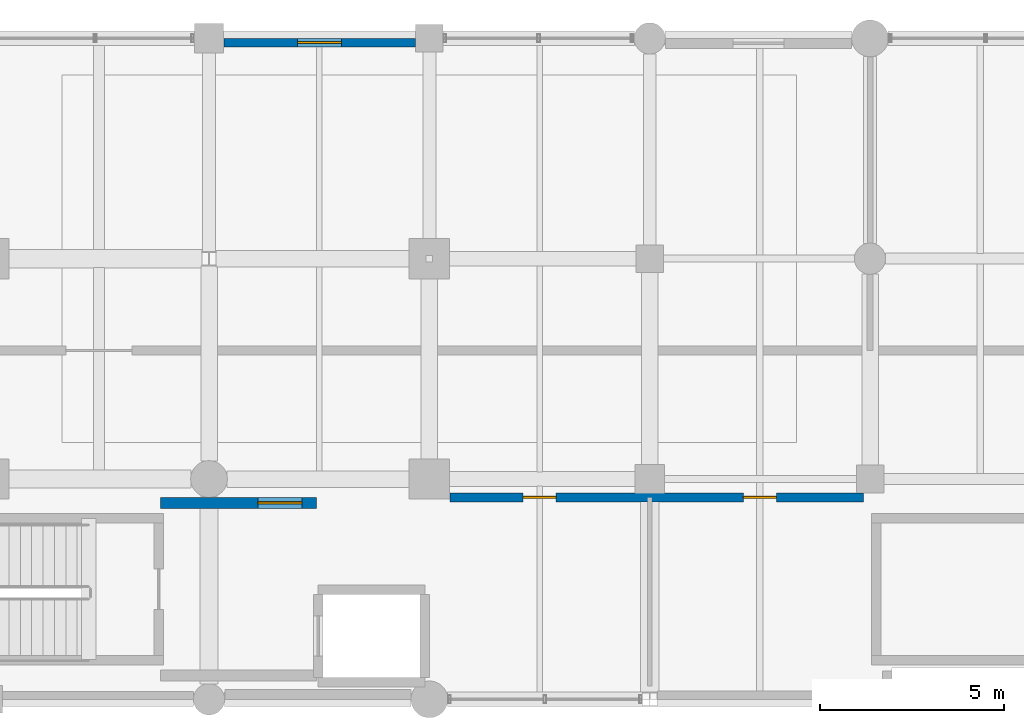
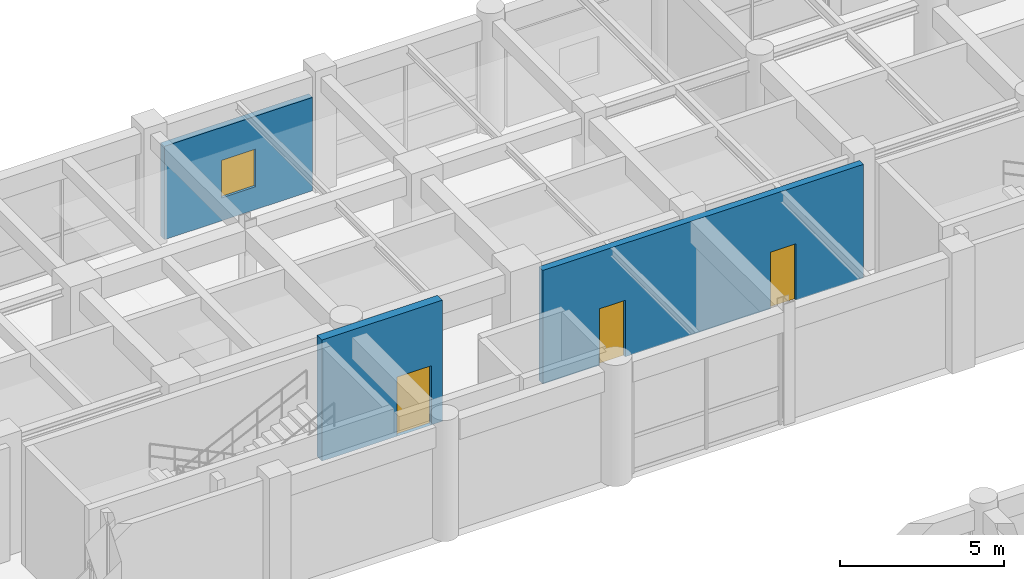
# One storey, part 104 of 133: 3 doors, 3 walls, 1 window, 4 openings.
"""IFC4 building model written with IfcOpenShell, lengths in metres."""

import ifcopenshell
import ifcopenshell.guid

model = None  # the IFC model being written
_history = None  # IfcOwnerHistory: only IFC2X3 demands one
_inside = {}  # id of a spatial element -> (the spatial element, [elements in it])
_under = {}  # id of a project, library or spatial element -> (it, [spatial elements below it])
_declared = {}  # id of a project -> (the project, [libraries it declares])
_typed = {}  # id of a type object -> (the type object, [elements of that type])
_made_of = {}  # id of a material, layer set ... -> (it, [elements and type objects made of it])


def new_model(schema):
    """Start an empty IFC model of exactly this schema.

    Asked for "IFC4X3", IfcOpenShell would pick the latest addendum, in which some entities
    have other attributes; the version numbers below select the first issue.
    IFC2X3 requires an IfcOwnerHistory on every rooted entity: one is made here for all.
    """
    global model, _history
    if schema == "IFC4X3":
        model = ifcopenshell.file(schema_version=(4, 3, 0, 0))
    else:
        model = ifcopenshell.file(schema=schema)
    _inside.clear()
    _under.clear()
    _declared.clear()
    _typed.clear()
    _made_of.clear()
    _history = None
    if model.schema == "IFC2X3":
        org = make("IfcOrganization", Name="unknown")
        user = make(
            "IfcPersonAndOrganization",
            ThePerson=make("IfcPerson", FamilyName="unknown"),
            TheOrganization=org,
        )
        app = make(
            "IfcApplication",
            ApplicationDeveloper=org,
            Version="unknown",
            ApplicationFullName="unknown",
            ApplicationIdentifier="unknown",
        )
        _history = make(
            "IfcOwnerHistory",
            OwningUser=user,
            OwningApplication=app,
            ChangeAction="ADDED",
            CreationDate=0,
        )
    return model


def make(cls, **values):
    """One entity of the class cls with the attributes given. An attribute that is None is left unset."""
    return model.create_entity(
        cls, **{name: value for name, value in values.items() if value is not None}
    )


def rooted(cls, **values):
    """An entity with a GlobalId (a new one), such as an element, a storey or a relation."""
    return make(cls, GlobalId=ifcopenshell.guid.new(), OwnerHistory=_history, **values)


def si_unit(unit_type, name, prefix=None):
    """IfcSIUnit, for example si_unit("LENGTHUNIT", "METRE", prefix="MILLI")."""
    return make("IfcSIUnit", UnitType=unit_type, Prefix=prefix, Name=name)


def assignment(units):
    """IfcUnitAssignment: the units of a project."""
    return None if units is None else make("IfcUnitAssignment", Units=units)


def point(xyz):
    """IfcCartesianPoint."""
    return None if xyz is None else make("IfcCartesianPoint", Coordinates=xyz)


def direction(xyz):
    """IfcDirection."""
    return None if xyz is None else make("IfcDirection", DirectionRatios=xyz)


def frame(location, z_axis=None, x_axis=None):
    """IfcAxis2Placement3D, a coordinate frame: its origin and axes. An axis left out is left unset."""
    return make(
        "IfcAxis2Placement3D",
        Location=point(location),
        Axis=direction(z_axis),
        RefDirection=direction(x_axis),
    )


def frame_2d(location, x_axis=None):
    """IfcAxis2Placement2D, a coordinate frame in the plane: its origin and x axis."""
    return make(
        "IfcAxis2Placement2D", Location=point(location), RefDirection=direction(x_axis)
    )


def origin():
    """The frame at (0, 0, 0) with its axes left unset."""
    return frame((0.0, 0.0, 0.0))


def place(relative_to, where):
    """IfcLocalPlacement: puts the frame where relative to a parent placement (None: the world)."""
    return make(
        "IfcLocalPlacement", PlacementRelTo=relative_to, RelativePlacement=where
    )


def context(
    kind, dimensions, precision=None, world=None, true_north=None, identifier=None
):
    """IfcGeometricRepresentationContext, for example the 3D "Model" context."""
    return make(
        "IfcGeometricRepresentationContext",
        ContextIdentifier=identifier,
        ContextType=kind,
        CoordinateSpaceDimension=dimensions,
        Precision=precision,
        WorldCoordinateSystem=world,
        TrueNorth=true_north,
    )


def subcontext(parent, identifier, kind, view, scale=None):
    """IfcGeometricRepresentationSubContext, for example "Body" below "Model"."""
    return make(
        "IfcGeometricRepresentationSubContext",
        ContextIdentifier=identifier,
        ContextType=kind,
        ParentContext=parent,
        TargetScale=scale,
        TargetView=view,
    )


def project(units=None, contexts=None):
    """IfcProject with its units and contexts."""
    return rooted(
        "IfcProject",
        Name="project",
        RepresentationContexts=contexts,
        UnitsInContext=assignment(units),
    )


def spatial(cls, under=None, at=None, **own):
    """A site, building, storey or space (cls), placed at a placement, below another one or the project."""
    s = rooted(cls, ObjectPlacement=at, **own)
    if under is not None:
        _under.setdefault(under.id(), (under, []))[1].append(s)
    return s


def profile(cls, at=None, kind="AREA", **sizes):
    """A parametric profile (cls). Its sizes go by their IFC names, for example OverallWidth=200.0."""
    return make(cls, ProfileType=kind, Position=at, **sizes)


def rectangle(**sizes):
    """IfcRectangleProfileDef."""
    return profile("IfcRectangleProfileDef", **sizes)


def extrude(swept, where, along, depth):
    """IfcExtrudedAreaSolid: the profile swept, set in the frame where, extruded along a direction by depth."""
    return make(
        "IfcExtrudedAreaSolid",
        SweptArea=swept,
        Position=where,
        ExtrudedDirection=direction(along),
        Depth=depth,
    )


def shape(context_of_items, identifier, shape_type, items):
    """IfcShapeRepresentation: the items that make up one representation, for example the "Body"."""
    return make(
        "IfcShapeRepresentation",
        ContextOfItems=context_of_items,
        RepresentationIdentifier=identifier,
        RepresentationType=shape_type,
        Items=items,
    )


def material(Name=None, Category=None):
    """IfcMaterial."""
    return make("IfcMaterial", Name=Name, Category=Category)


def layer(
    of_material, thickness, ventilated=None, Name=None, Category=None, Priority=None
):
    """IfcMaterialLayer: one layer of a wall or slab, of a material (None: an air gap)."""
    return make(
        "IfcMaterialLayer",
        Material=of_material,
        LayerThickness=thickness,
        IsVentilated=ventilated,
        Name=Name,
        Category=Category,
        Priority=Priority,
    )


def layer_set(layers, Name=None):
    """IfcMaterialLayerSet."""
    return make("IfcMaterialLayerSet", MaterialLayers=layers, LayerSetName=Name)


def made_of(thing, what):
    """Note that an element or type object is made of a material, layer set ...; save() writes the relation."""
    if what is not None:
        _made_of.setdefault(what.id(), (what, []))[1].append(thing)
    return thing


def type_object(cls, material=None, **own):
    """A type object (cls), such as IfcWallType, which elements share."""
    return made_of(rooted(cls, **own), material)


def element(
    cls,
    number,
    at=None,
    inside=None,
    cuts=None,
    type_object=None,
    material=None,
    context=None,
    identifier="Body",
    shape_type=None,
    held_by="IfcProductDefinitionShape",
    body=None,
    shapes=None,
    **own,
):
    """One element of the class cls, such as IfcWall. Its Tag is "e" and its number.

    at: its placement. inside: the storey or other place that contains it. cuts: it is an
    opening in that element (IfcRelVoidsElement). A single representation is given by context,
    identifier, shape_type and body (its items); several are given by shapes. held_by: the class
    of the entity that holds the representations. save() writes the other relations.
    """
    e = rooted(cls, Tag="e%d" % number, ObjectPlacement=at, **own)
    if body is not None:
        shapes = [shape(context, identifier, shape_type, body)]
    if shapes is not None:
        e.Representation = make(held_by, Representations=shapes)
    if inside is not None:
        _inside.setdefault(inside.id(), (inside, []))[1].append(e)
    if cuts is not None:
        rooted(
            "IfcRelVoidsElement", RelatingBuildingElement=cuts, RelatedOpeningElement=e
        )
    if type_object is not None:
        _typed.setdefault(type_object.id(), (type_object, []))[1].append(e)
    return made_of(e, material)


def fill(opening, filler):
    """IfcRelFillsElement: the door or window that sits in an opening."""
    return rooted(
        "IfcRelFillsElement",
        RelatingOpeningElement=opening,
        RelatedBuildingElement=filler,
    )


def aggregate(whole, parts):
    """IfcRelAggregates: a whole, such as a stair, and the parts it consists of."""
    return rooted("IfcRelAggregates", RelatingObject=whole, RelatedObjects=parts)


def save(model, path):
    """Write the relations noted so far, then the file.

    IfcRelAggregates (storeys below a building ...), IfcRelContainedInSpatialStructure (elements
    in a storey), IfcRelDefinesByType, IfcRelAssociatesMaterial and IfcRelDeclares: one each for
    every whole, place, type object, material and project.
    """
    for whole, parts in _under.values():
        aggregate(whole, parts)
    for where, things in _inside.values():
        rooted(
            "IfcRelContainedInSpatialStructure",
            RelatedElements=things,
            RelatingStructure=where,
        )
    for kind, things in _typed.values():
        rooted("IfcRelDefinesByType", RelatedObjects=things, RelatingType=kind)
    for what, things in _made_of.values():
        rooted("IfcRelAssociatesMaterial", RelatedObjects=things, RelatingMaterial=what)
    for by, libraries in _declared.values():
        rooted("IfcRelDeclares", RelatingContext=by, RelatedDefinitions=libraries)
    model.write(path)


model = new_model("IFC4")

# Units and contexts
model_context = context("Model", 3, precision=1e-05, world=origin(), true_north=direction((0.0, 1.0)))
body_context = subcontext(model_context, "Body", "Model", "MODEL_VIEW")
ifc_project = project(units=[si_unit("LENGTHUNIT", "METRE"), si_unit("AREAUNIT", "SQUARE_METRE"), si_unit("VOLUMEUNIT", "CUBIC_METRE"), si_unit("PLANEANGLEUNIT", "RADIAN"), si_unit("MASSUNIT", "GRAM", prefix="KILO"), si_unit("THERMODYNAMICTEMPERATUREUNIT", "KELVIN"), si_unit("POWERUNIT", "WATT")], contexts=[model_context])

# Site, building, storey
site_placement = place(None, origin())
site = spatial("IfcSite", under=ifc_project, at=site_placement, CompositionType="ELEMENT")
building_placement = place(site_placement, origin())
building = spatial("IfcBuilding", under=site, at=building_placement, Name="Phaisarnlok Congress Hotel", CompositionType="ELEMENT")
storey_placement = place(building_placement, frame((0.0, 0.0, 6.0)))
storey = spatial("IfcBuildingStorey", under=building, at=storey_placement, Name="L01", CompositionType="ELEMENT", Elevation=6.0)

# Wall, opening, window
ifc_material_1 = material(Name="Concrete C40/50", Category="concrete")
ifc_layer_1 = layer(ifc_material_1, 0.22998046875, Name="Concrete C40/50")
ifc_layer_set_1 = layer_set([ifc_layer_1], Name="Concrete C40/50")
wall_type_1 = type_object("IfcWallType", Name="WL-EXT-230", PredefinedType="SOLIDWALL", material=ifc_layer_set_1)
wall_1_placement = place(storey_placement, frame((119.6201171875, 125.885009765625, 0.0), z_axis=(0.0, 0.0, 1.0), x_axis=(-1.0, 0.0, 0.0)))
wall_1 = element("IfcWall", 1, at=wall_1_placement, inside=storey, type_object=wall_type_1, Name="Exterior wall EW-06 (L01)", PredefinedType="SOLIDWALL", context=body_context, shape_type="SweptSolid", body=[
    extrude(rectangle(XDim=5.215087890625, YDim=0.22998046875, at=frame_2d((2.607421875, 0.0))), origin(), (0.0, 0.0, 1.0), 3.469970703125),
])
opening_1_placement = place(wall_1_placement, frame((2.008056640625, 0.0, 0.85009765625)))
opening_1 = element("IfcOpeningElement", 2, at=opening_1_placement, cuts=wall_1, Name="Opening W-14", PredefinedType="OPENING", context=body_context, shape_type="SweptSolid", body=[
    extrude(rectangle(XDim=1.199951171875, YDim=1.39990234375, at=frame_2d((0.60009765625, 0.699951171875))), frame((0.0, 0.125, 0.0), z_axis=(0.0, -1.0, 0.0), x_axis=(1.0, 0.0, 0.0)), (0.0, 0.0, 1.0), 0.25),
])
ifc_material_2 = material(Name="Thermally Broken Aluminium & Low-E Double Glazing", Category="aluminium")
window_type = type_object("IfcWindowType", Name="WIN-POD-1200", PartitioningType="SINGLE_PANEL", PredefinedType="WINDOW", material=ifc_material_2)
window_placement = place(opening_1_placement, origin())
window = element("IfcWindow", 3, at=window_placement, inside=storey, type_object=window_type, Name="Podium window W-14 (L01)", OverallHeight=1.39990234375, OverallWidth=1.199951171875, PartitioningType="SINGLE_PANEL", PredefinedType="WINDOW", context=body_context, shape_type="SweptSolid", body=[
    extrude(rectangle(XDim=1.199951171875, YDim=1.39990234375, at=frame_2d((0.60009765625, 0.699951171875))), frame((0.0, 0.030029296875, 0.0), z_axis=(0.0, -1.0, 0.0), x_axis=(1.0, 0.0, 0.0)), (0.0, 0.0, 1.0), 0.06005859375),
])
fill(opening_1, window)

# Wall, openings, doors
ifc_layer_2 = layer(ifc_material_1, 0.239990234375, Name="Concrete C40/50")
ifc_layer_set_2 = layer_set([ifc_layer_2], Name="Concrete C40/50")
wall_type_2 = type_object("IfcWallType", Name="WL-INT-240", PredefinedType="PARTITIONING", material=ifc_layer_set_2)
wall_2_placement = place(storey_placement, frame((120.554931640625, 113.5, 0.0), z_axis=(0.0, 0.0, 1.0), x_axis=(1.0, 0.0, 0.0)))
wall_2 = element("IfcWall", 4, at=wall_2_placement, inside=storey, type_object=wall_type_2, Name="Interior partition wall IW-01 (L01)", PredefinedType="PARTITIONING", context=body_context, shape_type="SweptSolid", body=[
    extrude(rectangle(XDim=11.26513671875, YDim=0.239990234375, at=frame_2d((5.632568359375, 0.0))), origin(), (0.0, 0.0, 1.0), 4.219970703125),
])
opening_2_placement = place(wall_2_placement, frame((1.9951171875, 0.0, 0.0)))
opening_2 = element("IfcOpeningElement", 5, at=opening_2_placement, cuts=wall_2, Name="Opening D-0073", PredefinedType="OPENING", context=body_context, shape_type="SweptSolid", body=[
    extrude(rectangle(XDim=0.89990234375, YDim=2.10009765625, at=frame_2d((0.449951171875, 1.050048828125))), frame((0.0, 0.1298828125, 0.0), z_axis=(0.0, -1.0, 0.0), x_axis=(1.0, 0.0, 0.0)), (0.0, 0.0, 1.0), 0.260009765625),
])
opening_3_placement = place(wall_2_placement, frame((7.9951171875, 0.0, 0.0)))
opening_3 = element("IfcOpeningElement", 6, at=opening_3_placement, cuts=wall_2, Name="Opening D-0074", PredefinedType="OPENING", context=body_context, shape_type="SweptSolid", body=[
    extrude(rectangle(XDim=0.89990234375, YDim=2.10009765625, at=frame_2d((0.449951171875, 1.050048828125))), frame((0.0, 0.1298828125, 0.0), z_axis=(0.0, -1.0, 0.0), x_axis=(1.0, 0.0, 0.0)), (0.0, 0.0, 1.0), 0.260009765625),
])
ifc_material_3 = material(Name="Solid-Core Oak Veneer", Category="wood")
door_type_1 = type_object("IfcDoorType", Name="DR-INT-900", OperationType="NOTDEFINED", PredefinedType="DOOR", material=ifc_material_3)
door_1_placement = place(opening_2_placement, origin())
door_1 = element("IfcDoor", 7, at=door_1_placement, inside=storey, type_object=door_type_1, Name="Interior door D-0073 (L01)", OperationType="SINGLE_SWING_RIGHT", OverallHeight=2.10009765625, OverallWidth=0.89990234375, PredefinedType="DOOR", context=body_context, shape_type="SweptSolid", body=[
    extrude(rectangle(XDim=0.89990234375, YDim=2.10009765625, at=frame_2d((0.449951171875, 1.050048828125))), frame((0.0, 0.02490234375, 0.0), z_axis=(0.0, -1.0, 0.0), x_axis=(1.0, 0.0, 0.0)), (0.0, 0.0, 1.0), 0.050048828125),
])
fill(opening_2, door_1)
door_2_placement = place(opening_3_placement, origin())
door_2 = element("IfcDoor", 8, at=door_2_placement, inside=storey, type_object=door_type_1, Name="Interior door D-0074 (L01)", OperationType="SINGLE_SWING_LEFT", OverallHeight=2.10009765625, OverallWidth=0.89990234375, PredefinedType="DOOR", context=body_context, shape_type="SweptSolid", body=[
    extrude(rectangle(XDim=0.89990234375, YDim=2.10009765625, at=frame_2d((0.449951171875, 1.050048828125))), frame((0.0, 0.02490234375, 0.0), z_axis=(0.0, -1.0, 0.0), x_axis=(1.0, 0.0, 0.0)), (0.0, 0.0, 1.0), 0.050048828125),
])
fill(opening_3, door_2)

# Wall, opening, door
ifc_material_4 = material(Name="Concrete C50/60", Category="concrete")
ifc_layer_3 = layer(ifc_material_4, 0.300048828125, Name="Concrete C50/60")
ifc_layer_set_3 = layer_set([ifc_layer_3], Name="Concrete C50/60")
wall_type_3 = type_object("IfcWallType", Name="WL-SHR-300", PredefinedType="SHEAR", material=ifc_layer_set_3)
wall_3_placement = place(storey_placement, frame((112.679931640625, 113.35009765625, 0.0), z_axis=(0.0, 0.0, 1.0), x_axis=(1.0, 0.0, 0.0)))
wall_3 = element("IfcWall", 9, at=wall_3_placement, inside=storey, type_object=wall_type_3, Name="Core lobby EI-120 wall SW-03 (CORE-4 L01)", PredefinedType="SHEAR", context=body_context, shape_type="SweptSolid", body=[
    extrude(rectangle(XDim=4.239990234375, YDim=0.300048828125, at=frame_2d((2.1201171875, 0.0))), origin(), (0.0, 0.0, 1.0), 4.5),
])
opening_4_placement = place(wall_3_placement, frame((2.64990234375, 0.0, 0.0)))
opening_4 = element("IfcOpeningElement", 10, at=opening_4_placement, cuts=wall_3, Name="Opening FD-108", PredefinedType="OPENING", context=body_context, shape_type="SweptSolid", body=[
    extrude(rectangle(XDim=1.199951171875, YDim=2.199951171875, at=frame_2d((0.60009765625, 1.10009765625))), frame((0.0, 0.16015625, 0.0), z_axis=(0.0, -1.0, 0.0), x_axis=(1.0, 0.0, 0.0)), (0.0, 0.0, 1.0), 0.320068359375),
])
ifc_material_5 = material(Name="Fire-Rated Steel Frame & Timber Leaf", Category="steel")
door_type_2 = type_object("IfcDoorType", Name="DR-FD60-1200", OperationType="NOTDEFINED", PredefinedType="DOOR", material=ifc_material_5)
door_3_placement = place(opening_4_placement, origin())
door_3 = element("IfcDoor", 11, at=door_3_placement, inside=storey, type_object=door_type_2, Name="Firefighting lobby entrance door FD-108 (CORE-4 L01)", OperationType="SINGLE_SWING_LEFT", OverallHeight=2.199951171875, OverallWidth=1.199951171875, PredefinedType="DOOR", context=body_context, shape_type="SweptSolid", body=[
    extrude(rectangle(XDim=1.199951171875, YDim=2.199951171875, at=frame_2d((0.60009765625, 1.10009765625))), frame((0.0, 0.02490234375, 0.0), z_axis=(0.0, -1.0, 0.0), x_axis=(1.0, 0.0, 0.0)), (0.0, 0.0, 1.0), 0.050048828125),
])
fill(opening_4, door_3)

save(model, "model.ifc")
